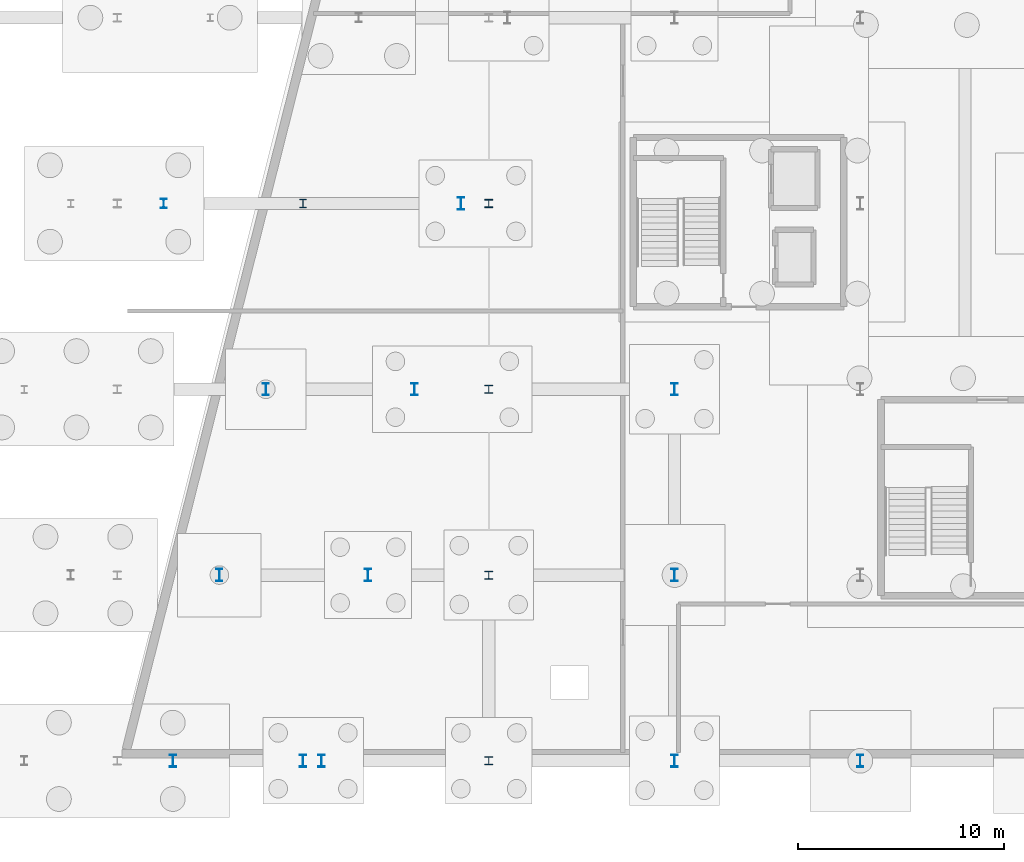
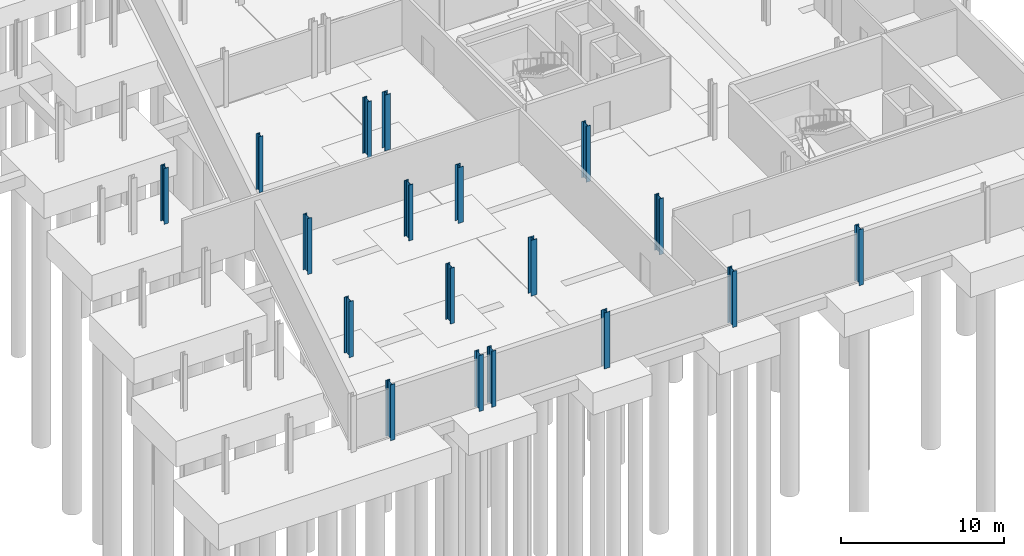
# One storey, part 24 of 42: 18 columns.
"""IFC4 building model written with IfcOpenShell, lengths in metres."""

from ifc_helpers import new_model, si_unit, direction, frame, origin, origin_2d, place, context, subcontext, project, spatial, i_section, extrude, material, material_profile, profile_set, type_object, element, save


model = new_model("IFC4")

# Units and contexts
model_context = context("Model", 3, precision=1e-05, world=origin(), true_north=direction((0.0, 1.0)))
body_context = subcontext(model_context, "Body", "Model", "MODEL_VIEW")
ifc_project = project(units=[si_unit("LENGTHUNIT", "METRE"), si_unit("AREAUNIT", "SQUARE_METRE"), si_unit("VOLUMEUNIT", "CUBIC_METRE"), si_unit("PLANEANGLEUNIT", "RADIAN"), si_unit("MASSUNIT", "GRAM", prefix="KILO")], contexts=[model_context])

# Site, building, storey
site_placement = place(None, origin())
site = spatial("IfcSite", under=ifc_project, at=site_placement, CompositionType="ELEMENT")
building_placement = place(site_placement, origin())
building = spatial("IfcBuilding", under=site, at=building_placement, Name="Deido Ridge Mobility Hub", CompositionType="ELEMENT")
storey_placement = place(building_placement, frame((0.0, 0.0, -4.199951171875)))
storey = spatial("IfcBuildingStorey", under=building, at=storey_placement, Name="B1", CompositionType="ELEMENT", Elevation=-4.199951171875)

# Columns
ifc_material = material(Name="Steel S355J2 EN 10025-2", Category="steel")
ifc_material_profile_1 = material_profile(ifc_material, i_section(OverallWidth=0.39892578125, OverallDepth=0.39306640625, WebThickness=0.017578125, FlangeThickness=0.028076171875, FilletRadius=0.014892578125, at=origin_2d()), Name="HD 400x287")
ifc_profile_set_1 = profile_set([ifc_material_profile_1], Name="Steel S355J2 EN 10025-2")
column_type_1 = type_object("IfcColumnType", Name="COL-HD400-287", PredefinedType="COLUMN", material=ifc_profile_set_1)
for number, where, z_axis, x_axis, name in (
    (1, (144.0, 0.0, 0.0), (0.0, 0.0, 1.0), (1.0, 0.0, 0.0), "Structural column C2"),
    (2, (144.0, 9.0, 0.0), (0.0, 0.0, 1.0), (1.0, 0.0, 0.0), "Structural column C2"),
    (3, (144.0, 18.0, 0.0), (0.0, 0.0, 1.0), (1.0, 0.0, 0.0), "Structural column C2"),
    (4, (144.0, 27.0, 0.0), (0.0, 0.0, 1.0), (1.0, 0.0, 0.0), "Structural column C2"),
):
    element("IfcColumn", number, at=place(storey_placement, frame(where, z_axis=z_axis, x_axis=x_axis)), inside=storey, type_object=column_type_1, Name=name, PredefinedType="COLUMN", context=body_context, shape_type="SweptSolid", body=[
        extrude(i_section(OverallWidth=0.39892578125, OverallDepth=0.39306640625, WebThickness=0.017578125, FlangeThickness=0.028076171875, FilletRadius=0.014892578125, at=origin_2d()), origin(), (0.0, 0.0, 1.0), 4.199951171875),
    ])
ifc_material_profile_2 = material_profile(ifc_material, i_section(OverallWidth=0.300048828125, OverallDepth=0.39990234375, WebThickness=0.013427734375, FlangeThickness=0.02392578125, FilletRadius=0.027099609375, at=origin_2d()), Name="HEB 400")
ifc_profile_set_2 = profile_set([ifc_material_profile_2], Name="Steel S355J2 EN 10025-2")
column_type_2 = type_object("IfcColumnType", Name="COL-HEB400", PredefinedType="COLUMN", material=ifc_profile_set_2)
column_1_placement = place(storey_placement, frame((135.0, 27.0, 0.0), z_axis=(0.0, 0.0, 1.0), x_axis=(1.0, 0.0, 0.0)))
element("IfcColumn", 5, at=column_1_placement, inside=storey, type_object=column_type_2, Name="Structural column C7", PredefinedType="COLUMN", context=body_context, shape_type="SweptSolid", body=[
    extrude(i_section(OverallWidth=0.300048828125, OverallDepth=0.39990234375, WebThickness=0.013427734375, FlangeThickness=0.02392578125, FilletRadius=0.027099609375, at=origin_2d()), origin(), (0.0, 0.0, 1.0), 4.199951171875),
])
ifc_material_profile_3 = material_profile(ifc_material, i_section(OverallWidth=0.300048828125, OverallDepth=0.449951171875, WebThickness=0.013916015625, FlangeThickness=0.02587890625, FilletRadius=0.027099609375, at=origin_2d()), Name="HEB 450")
ifc_profile_set_3 = profile_set([ifc_material_profile_3], Name="Steel S355J2 EN 10025-2")
column_type_3 = type_object("IfcColumnType", Name="COL-HEB450", PredefinedType="COLUMN", material=ifc_profile_set_3)
column_2_placement = place(storey_placement, frame((128.25, 27.0, 0.0), z_axis=(0.0, 0.0, 1.0), x_axis=(1.0, 0.0, 0.0)))
element("IfcColumn", 6, at=column_2_placement, inside=storey, type_object=column_type_3, Name="Structural column C6", PredefinedType="COLUMN", context=body_context, shape_type="SweptSolid", body=[
    extrude(i_section(OverallWidth=0.300048828125, OverallDepth=0.449951171875, WebThickness=0.013916015625, FlangeThickness=0.02587890625, FilletRadius=0.027099609375, at=origin_2d()), origin(), (0.0, 0.0, 1.0), 4.199951171875),
])
ifc_material_profile_4 = material_profile(ifc_material, i_section(OverallWidth=0.300048828125, OverallDepth=0.60009765625, WebThickness=0.015380859375, FlangeThickness=0.030029296875, FilletRadius=0.027099609375, at=origin_2d()), Name="HEB 600")
ifc_profile_set_4 = profile_set([ifc_material_profile_4], Name="Steel S355J2 EN 10025-2")
column_type_4 = type_object("IfcColumnType", Name="COL-HEB600", PredefinedType="COLUMN", material=ifc_profile_set_4)
for number, where, z_axis, x_axis, name in (
    (7, (128.699951171875, 0.0, 0.0), (0.0, 0.0, 1.0), (1.0, 0.0, 0.0), "Structural column C4"),
    (8, (135.0, 0.0, 0.0), (0.0, 0.0, 1.0), (1.0, 0.0, 0.0), "Structural column C4"),
    (9, (135.89990234375, 0.0, 0.0), (0.0, 0.0, 1.0), (1.0, 0.0, 0.0), "Structural column C4"),
    (10, (153.0, 0.0, 0.0), (0.0, 0.0, 1.0), (1.0, 0.0, 0.0), "Structural column C4"),
    (11, (162.0, 0.0, 0.0), (0.0, 0.0, 1.0), (1.0, 0.0, 0.0), "Structural column C4"),
    (12, (130.949951171875, 9.0, 0.0), (0.0, 0.0, 1.0), (1.0, 0.0, 0.0), "Structural column C4"),
    (13, (138.14990234375, 9.0, 0.0), (0.0, 0.0, 1.0), (1.0, 0.0, 0.0), "Structural column C4"),
    (14, (153.0, 9.0, 0.0), (0.0, 0.0, 1.0), (1.0, 0.0, 0.0), "Structural column C4"),
    (15, (133.199951171875, 18.0, 0.0), (0.0, 0.0, 1.0), (1.0, 0.0, 0.0), "Structural column C4"),
    (16, (140.39990234375, 18.0, 0.0), (0.0, 0.0, 1.0), (1.0, 0.0, 0.0), "Structural column C4"),
    (17, (153.0, 18.0, 0.0), (0.0, 0.0, 1.0), (1.0, 0.0, 0.0), "Structural column C4"),
    (18, (142.64990234375, 27.0, 0.0), (0.0, 0.0, 1.0), (1.0, 0.0, 0.0), "Structural column C4"),
):
    element("IfcColumn", number, at=place(storey_placement, frame(where, z_axis=z_axis, x_axis=x_axis)), inside=storey, type_object=column_type_4, Name=name, PredefinedType="COLUMN", context=body_context, shape_type="SweptSolid", body=[
        extrude(i_section(OverallWidth=0.300048828125, OverallDepth=0.60009765625, WebThickness=0.015380859375, FlangeThickness=0.030029296875, FilletRadius=0.027099609375, at=origin_2d()), origin(), (0.0, 0.0, 1.0), 4.199951171875),
    ])

save(model, "model.ifc")
